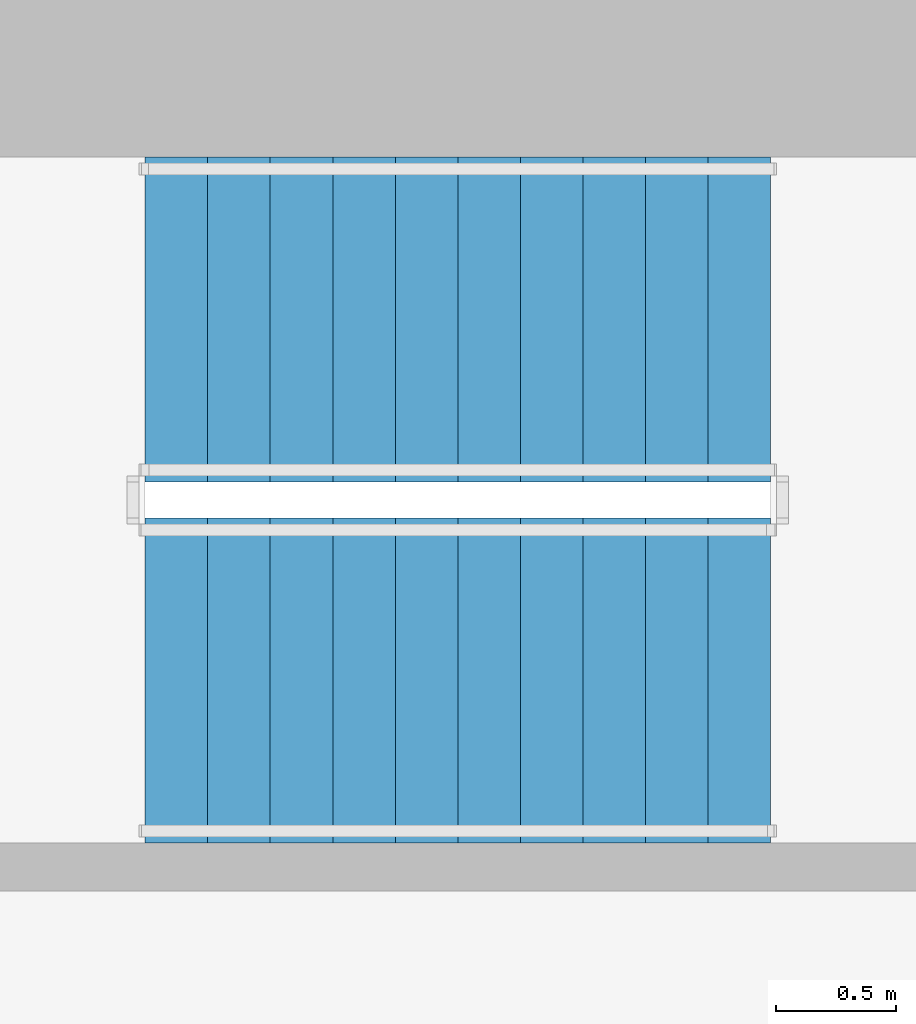
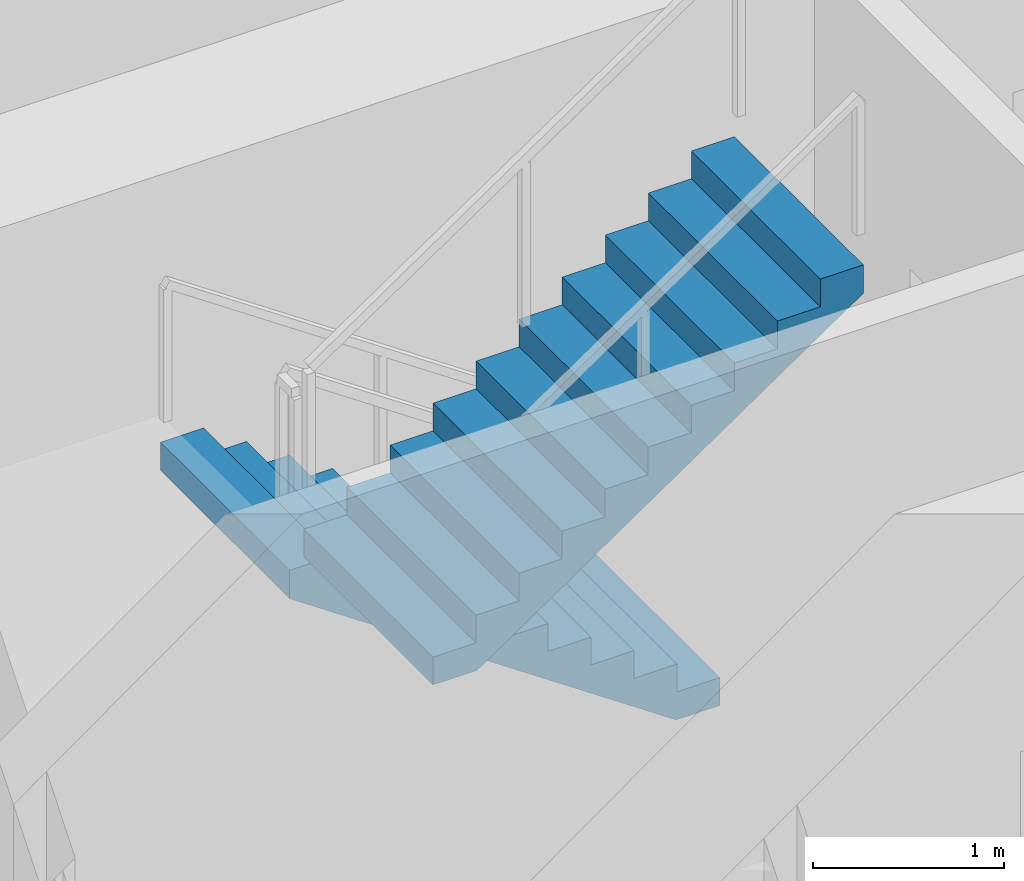
# One storey, part 10 of 16: 2 stair flights, 1 element without a shape of its own.
"""IFC4 building model written with IfcOpenShell, lengths in metres."""

from ifc_helpers import new_model, si_unit, direction, frame, origin, place, context, subcontext, project, spatial, polyline, outline, extrude, material, type_object, element, aggregate, save


model = new_model("IFC4")

# Units and contexts
model_context = context("Model", 3, precision=1e-05, world=origin(), true_north=direction((0.0, 1.0)))
body_context = subcontext(model_context, "Body", "Model", "MODEL_VIEW")
ifc_project = project(units=[si_unit("LENGTHUNIT", "METRE"), si_unit("AREAUNIT", "SQUARE_METRE"), si_unit("VOLUMEUNIT", "CUBIC_METRE"), si_unit("PLANEANGLEUNIT", "RADIAN"), si_unit("MASSUNIT", "GRAM", prefix="KILO")], contexts=[model_context])

# Site, building, storey
site_placement = place(None, origin())
site = spatial("IfcSite", under=ifc_project, at=site_placement, CompositionType="ELEMENT")
building_placement = place(site_placement, origin())
building = spatial("IfcBuilding", under=site, at=building_placement, Name="Khepri Terraces", CompositionType="ELEMENT")
storey_placement = place(building_placement, frame((0.0, 0.0, 168.89990234375)))
storey = spatial("IfcBuildingStorey", under=building, at=storey_placement, Name="L40", CompositionType="ELEMENT", Elevation=168.89990234375)

# Stair, stair flights
ifc_material = material(Name="Concrete C40/50", Category="concrete")
stair_type = type_object("IfcStairType", Name="STAIR-RC-22R", PredefinedType="HALF_TURN_STAIR", material=ifc_material)
stair_placement = place(storey_placement, origin())
stair = element("IfcStair", 1, at=stair_placement, inside=storey, type_object=stair_type, Name="L40 Exit Stair ST-3", PredefinedType="HALF_TURN_STAIR")
stair_flight_type = type_object("IfcStairFlightType", Name="SFL-RC-177.3", PredefinedType="STRAIGHT", material=ifc_material)
stair_flight_1_placement = place(storey_placement, frame((-0.25, 9.425048828125, 0.0), z_axis=(0.0, 0.0, 1.0), x_axis=(-1.0, 0.0, 0.0)))
stair_flight_1 = element("IfcStairFlight", 2, at=stair_flight_1_placement, type_object=stair_flight_type, Name="ST-3 flight 1", NumberOfRisers=11, NumberOfTreads=10, PredefinedType="STRAIGHT", RiserHeight=0.177272727, TreadLength=0.26, context=body_context, shape_type="SweptSolid", body=[
    extrude(outline(polyline([(0.0, 0.0), (0.0, 0.17724609375), (0.260009765625, 0.17724609375), (0.260009765625, 0.3544921875), (0.52001953125, 0.3544921875), (0.52001953125, 0.53173828125), (0.780029296875, 0.53173828125), (0.780029296875, 0.708984375), (1.0400390625, 0.708984375), (1.0400390625, 0.886474609375), (1.300048828125, 0.886474609375), (1.300048828125, 1.063720703125), (1.56005859375, 1.063720703125), (1.56005859375, 1.240966796875), (1.820068359375, 1.240966796875), (1.820068359375, 1.418212890625), (2.080078125, 1.418212890625), (2.080078125, 1.595458984375), (2.340087890625, 1.595458984375), (2.340087890625, 1.772705078125), (2.60009765625, 1.772705078125), (2.60009765625, 1.949951171875), (2.60009765625, 1.59130859375), (0.26611328125, 0.0), (0.0, 0.0)])), frame((0.0, 0.675048828125, 0.0), z_axis=(0.0, -1.0, 0.0), x_axis=(1.0, 0.0, 0.0)), (0.0, 0.0, 1.0), 1.35009765625),
])
stair_flight_2_placement = place(storey_placement, frame((-2.85009765625, 7.925048828125, 1.9501953125), z_axis=(0.0, 0.0, 1.0), x_axis=(1.0, 0.0, 0.0)))
stair_flight_2 = element("IfcStairFlight", 3, at=stair_flight_2_placement, type_object=stair_flight_type, Name="ST-3 flight 2", NumberOfRisers=11, NumberOfTreads=10, PredefinedType="STRAIGHT", RiserHeight=0.177272727, TreadLength=0.26, context=body_context, shape_type="SweptSolid", body=[
    extrude(outline(polyline([(0.0, 0.0), (0.0, 0.17724609375), (0.260009765625, 0.17724609375), (0.260009765625, 0.3544921875), (0.52001953125, 0.3544921875), (0.52001953125, 0.53173828125), (0.780029296875, 0.53173828125), (0.780029296875, 0.708984375), (1.0400390625, 0.708984375), (1.0400390625, 0.886474609375), (1.300048828125, 0.886474609375), (1.300048828125, 1.063720703125), (1.56005859375, 1.063720703125), (1.56005859375, 1.240966796875), (1.820068359375, 1.240966796875), (1.820068359375, 1.418212890625), (2.080078125, 1.418212890625), (2.080078125, 1.595458984375), (2.340087890625, 1.595458984375), (2.340087890625, 1.772705078125), (2.60009765625, 1.772705078125), (2.60009765625, 1.949951171875), (2.60009765625, 1.59130859375), (0.26611328125, 0.0), (0.0, 0.0)])), frame((0.0, 0.675048828125, 0.0), z_axis=(0.0, -1.0, 0.0), x_axis=(1.0, 0.0, 0.0)), (0.0, 0.0, 1.0), 1.35009765625),
])
aggregate(stair, [stair_flight_1, stair_flight_2])

save(model, "model.ifc")
